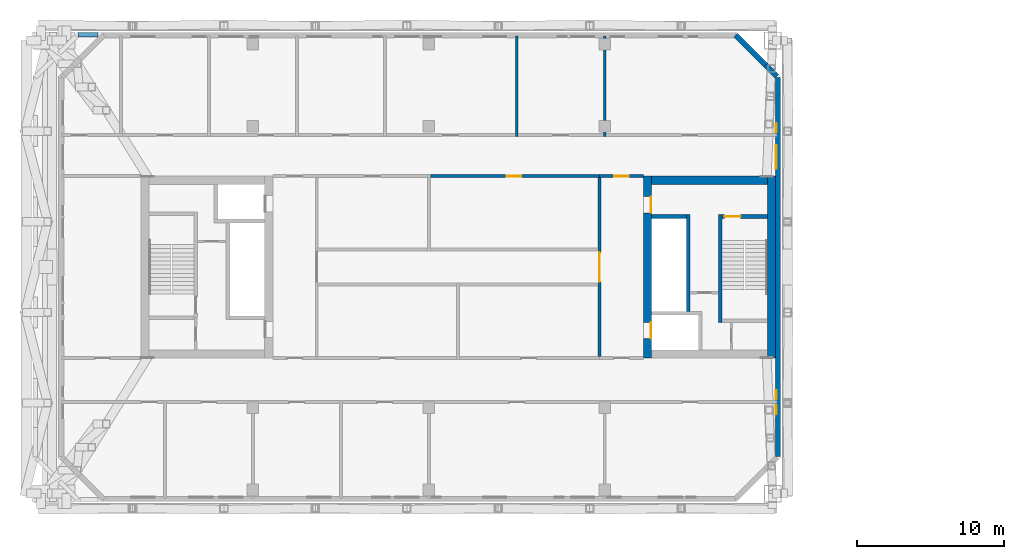
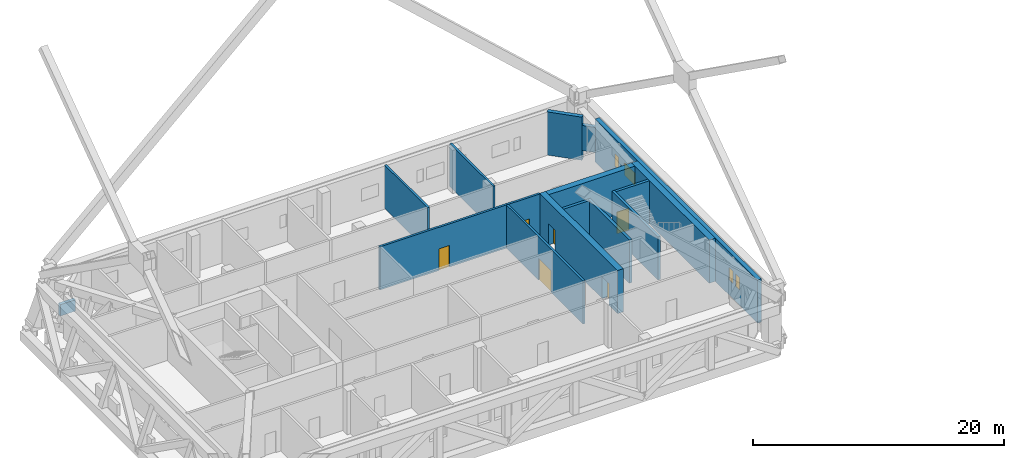
# One storey, part 10 of 22: 16 walls, 6 doors, 4 windows, 10 openings.
"""IFC4 building model written with IfcOpenShell, lengths in metres."""

from ifc_helpers import new_model, si_unit, direction, frame, frame_2d, origin, place, context, subcontext, project, spatial, rectangle, extrude, material, layer, layer_set, type_object, element, fill, save


model = new_model("IFC4")

# Units and contexts
model_context = context("Model", 3, precision=1e-05, world=origin(), true_north=direction((0.0, 1.0)))
body_context = subcontext(model_context, "Body", "Model", "MODEL_VIEW")
ifc_project = project(units=[si_unit("LENGTHUNIT", "METRE"), si_unit("AREAUNIT", "SQUARE_METRE"), si_unit("VOLUMEUNIT", "CUBIC_METRE"), si_unit("PLANEANGLEUNIT", "RADIAN"), si_unit("MASSUNIT", "GRAM", prefix="KILO")], contexts=[model_context])

# Site, building, storey
site_placement = place(None, origin())
site = spatial("IfcSite", under=ifc_project, at=site_placement, CompositionType="ELEMENT")
building_placement = place(site_placement, origin())
building = spatial("IfcBuilding", under=site, at=building_placement, Name="Tuart Gate Housing", CompositionType="ELEMENT")
storey_placement = place(building_placement, frame((0.0, 0.0, 115.0)))
storey = spatial("IfcBuildingStorey", under=building, at=storey_placement, Name="L32", CompositionType="ELEMENT", Elevation=115.0)

# Wall
ifc_material_1 = material(Name="Brick", Category="masonry")
ifc_layer_1 = layer(ifc_material_1, 0.300048828125)
ifc_layer_set_1 = layer_set([ifc_layer_1], Name="Brick parapet wall 300")
wall_type_1 = type_object("IfcWallType", Name="Brick parapet wall 300", PredefinedType="PARAPET", material=ifc_layer_set_1)
wall_1_placement = place(storey_placement, frame((29.449951171875, 85.85009765625, 0.0), z_axis=(0.0, 0.0, 1.0), x_axis=(-1.0, 0.0, 0.0)))
element("IfcWall", 1, at=wall_1_placement, inside=storey, type_object=wall_type_1, Name="Roof parapet A 1", PredefinedType="PARAPET", context=body_context, shape_type="SweptSolid", body=[
    extrude(rectangle(XDim=1.387939453125, YDim=0.300048828125, at=frame_2d((0.69384765625, 0.0))), origin(), (0.0, 0.0, 1.0), 1.10009765625),
])

# Wall, openings, windows
ifc_material_2 = material(Name="Brick", Category="masonry")
ifc_layer_2 = layer(ifc_material_2, 0.360107421875)
ifc_layer_set_2 = layer_set([ifc_layer_2], Name="Brick pier and spandrel wall 360")
wall_type_2 = type_object("IfcWallType", Name="Brick pier and spandrel wall 360", PredefinedType="STANDARD", material=ifc_layer_set_2)
wall_2_placement = place(storey_placement, frame((75.820068359375, 57.07470703125, 0.0), z_axis=(0.0, 0.0, 1.0), x_axis=(0.0, 1.0, 0.0)))
wall_2 = element("IfcWall", 2, at=wall_2_placement, inside=storey, type_object=wall_type_2, Name="External wall A-E L32", PredefinedType="STANDARD", context=body_context, shape_type="SweptSolid", body=[
    extrude(rectangle(XDim=25.850830078125, YDim=0.360107421875, at=frame_2d((12.92529296875, 0.0))), origin(), (0.0, 0.0, 1.0), 4.199951171875),
])
opening_1_placement = place(wall_2_placement, frame((2.89990234375, 0.0, 1.5)))
opening_1 = element("IfcOpeningElement", 3, at=opening_1_placement, cuts=wall_2, Name="Opening W3C", PredefinedType="OPENING", context=body_context, shape_type="SweptSolid", body=[
    extrude(rectangle(XDim=0.60009765625, YDim=1.199951171875, at=frame_2d((0.300048828125, 0.60009765625))), frame((0.0, 0.18994140625, 0.0), z_axis=(0.0, -1.0, 0.0), x_axis=(1.0, 0.0, 0.0)), (0.0, 0.0, 1.0), 0.380126953125),
])
opening_2_placement = place(wall_2_placement, frame((3.92529296875, 0.0, 1.5)))
opening_2 = element("IfcOpeningElement", 4, at=opening_2_placement, cuts=wall_2, Name="Opening W3C", PredefinedType="OPENING", context=body_context, shape_type="SweptSolid", body=[
    extrude(rectangle(XDim=0.60009765625, YDim=1.199951171875, at=frame_2d((0.300048828125, 0.60009765625))), frame((0.0, 0.18994140625, 0.0), z_axis=(0.0, -1.0, 0.0), x_axis=(1.0, 0.0, 0.0)), (0.0, 0.0, 1.0), 0.380126953125),
])
opening_3_placement = place(wall_2_placement, frame((19.62548828125, 0.0, 1.5)))
opening_3 = element("IfcOpeningElement", 5, at=opening_3_placement, cuts=wall_2, Name="Opening W3", PredefinedType="OPENING", context=body_context, shape_type="SweptSolid", body=[
    extrude(rectangle(XDim=1.60009765625, YDim=1.199951171875, at=frame_2d((0.800048828125, 0.60009765625))), frame((0.0, 0.18994140625, 0.0), z_axis=(0.0, -1.0, 0.0), x_axis=(1.0, 0.0, 0.0)), (0.0, 0.0, 1.0), 0.380126953125),
])
opening_4_placement = place(wall_2_placement, frame((22.12548828125, 0.0, 1.5)))
opening_4 = element("IfcOpeningElement", 6, at=opening_4_placement, cuts=wall_2, Name="Opening W3C", PredefinedType="OPENING", context=body_context, shape_type="SweptSolid", body=[
    extrude(rectangle(XDim=0.60009765625, YDim=1.199951171875, at=frame_2d((0.300048828125, 0.60009765625))), frame((0.0, 0.18994140625, 0.0), z_axis=(0.0, -1.0, 0.0), x_axis=(1.0, 0.0, 0.0)), (0.0, 0.0, 1.0), 0.380126953125),
])
ifc_material_3 = material(Name="Aluminium louvre blades", Category="aluminium")
window_type_1 = type_object("IfcWindowType", Name="Louvre window 1600 x 1200", PartitioningType="DOUBLE_PANEL_HORIZONTAL", PredefinedType="WINDOW", material=ifc_material_3)
window_1_placement = place(opening_3_placement, origin())
window_1 = element("IfcWindow", 7, at=window_1_placement, inside=storey, type_object=window_type_1, Name="Louvre W3", OverallHeight=1.199951171875, OverallWidth=1.60009765625, PartitioningType="DOUBLE_PANEL_HORIZONTAL", PredefinedType="WINDOW", context=body_context, shape_type="SweptSolid", body=[
    extrude(rectangle(XDim=1.60009765625, YDim=1.199951171875, at=frame_2d((0.800048828125, 0.60009765625))), frame((0.0, 0.150146484375, 0.0), z_axis=(0.0, -1.0, 0.0), x_axis=(1.0, 0.0, 0.0)), (0.0, 0.0, 1.0), 0.06005859375),
])
fill(opening_3, window_1)
ifc_material_4 = material(Name="Aluminium louvre blades", Category="aluminium")
window_type_2 = type_object("IfcWindowType", Name="Louvre window 600 x 1200", PartitioningType="DOUBLE_PANEL_HORIZONTAL", PredefinedType="WINDOW", material=ifc_material_4)
window_2_placement = place(opening_1_placement, origin())
window_2 = element("IfcWindow", 8, at=window_2_placement, inside=storey, type_object=window_type_2, Name="Louvre W3C", OverallHeight=1.199951171875, OverallWidth=0.60009765625, PartitioningType="DOUBLE_PANEL_HORIZONTAL", PredefinedType="WINDOW", context=body_context, shape_type="SweptSolid", body=[
    extrude(rectangle(XDim=0.60009765625, YDim=1.199951171875, at=frame_2d((0.300048828125, 0.60009765625))), frame((0.0, 0.150146484375, 0.0), z_axis=(0.0, -1.0, 0.0), x_axis=(1.0, 0.0, 0.0)), (0.0, 0.0, 1.0), 0.06005859375),
])
fill(opening_1, window_2)
window_3_placement = place(opening_2_placement, origin())
window_3 = element("IfcWindow", 9, at=window_3_placement, inside=storey, type_object=window_type_2, Name="Louvre W3C", OverallHeight=1.199951171875, OverallWidth=0.60009765625, PartitioningType="DOUBLE_PANEL_HORIZONTAL", PredefinedType="WINDOW", context=body_context, shape_type="SweptSolid", body=[
    extrude(rectangle(XDim=0.60009765625, YDim=1.199951171875, at=frame_2d((0.300048828125, 0.60009765625))), frame((0.0, 0.150146484375, 0.0), z_axis=(0.0, -1.0, 0.0), x_axis=(1.0, 0.0, 0.0)), (0.0, 0.0, 1.0), 0.06005859375),
])
fill(opening_2, window_3)
window_4_placement = place(opening_4_placement, origin())
window_4 = element("IfcWindow", 10, at=window_4_placement, inside=storey, type_object=window_type_2, Name="Louvre W3C", OverallHeight=1.199951171875, OverallWidth=0.60009765625, PartitioningType="DOUBLE_PANEL_HORIZONTAL", PredefinedType="WINDOW", context=body_context, shape_type="SweptSolid", body=[
    extrude(rectangle(XDim=0.60009765625, YDim=1.199951171875, at=frame_2d((0.300048828125, 0.60009765625))), frame((0.0, 0.150146484375, 0.0), z_axis=(0.0, -1.0, 0.0), x_axis=(1.0, 0.0, 0.0)), (0.0, 0.0, 1.0), 0.06005859375),
])
fill(opening_4, window_4)

# Walls
wall_3_placement = place(storey_placement, frame((75.74609375, 82.999267578125, 0.952880859375), z_axis=(0.0, 0.0, 1.0), x_axis=(-0.706994764273, 0.707218780358, 0.0)))
element("IfcWall", 11, at=wall_3_placement, inside=storey, type_object=wall_type_2, Name="External wall A-NE L32", PredefinedType="STANDARD", context=body_context, shape_type="SweptSolid", body=[
    extrude(rectangle(XDim=1.08984375, YDim=0.360107421875, at=frame_2d((0.544921875, 0.0))), origin(), (0.0, 0.0, 1.0), 2.444091796875),
])
wall_4_placement = place(storey_placement, frame((74.9755859375, 83.77001953125, 0.0), z_axis=(0.0, 0.0, 1.0), x_axis=(-0.707148882153, 0.707064677713, 0.0)))
element("IfcWall", 12, at=wall_4_placement, inside=storey, type_object=wall_type_2, Name="External wall A-NE L32", PredefinedType="STANDARD", context=body_context, shape_type="SweptSolid", body=[
    extrude(rectangle(XDim=2.8994140625, YDim=0.360107421875, at=frame_2d((1.44970703125, 0.0))), origin(), (0.0, 0.0, 1.0), 4.199951171875),
])
ifc_material_5 = material(Name="Concrete C50", Category="concrete")
ifc_layer_3 = layer(ifc_material_5, 0.25)
ifc_layer_set_3 = layer_set([ifc_layer_3], Name="Core wall 250 C50")
wall_type_3 = type_object("IfcWallType", Name="Core wall 250 C50", PredefinedType="SHEAR", material=ifc_layer_set_3)
wall_5_placement = place(storey_placement, frame((67.18994140625, 73.449951171875, 0.0), z_axis=(0.0, 0.0, 1.0), x_axis=(1.0, 0.0, 0.0)))
element("IfcWall", 13, at=wall_5_placement, inside=storey, type_object=wall_type_3, Name="Core wall AG.4", PredefinedType="SHEAR", context=body_context, shape_type="SweptSolid", body=[
    extrude(rectangle(XDim=2.375, YDim=0.25, at=frame_2d((1.1875, 0.0))), origin(), (0.0, 0.0, 1.0), 4.199951171875),
])

# Wall, opening, door
wall_6_placement = place(storey_placement, frame((72.014892578125, 73.449951171875, 0.0), z_axis=(0.0, 0.0, 1.0), x_axis=(1.0, 0.0, 0.0)))
wall_6 = element("IfcWall", 14, at=wall_6_placement, inside=storey, type_object=wall_type_3, Name="Core wall AG.5", PredefinedType="SHEAR", context=body_context, shape_type="SweptSolid", body=[
    extrude(rectangle(XDim=3.0751953125, YDim=0.25, at=frame_2d((1.53759765625, 0.0))), origin(), (0.0, 0.0, 1.0), 4.199951171875),
])
opening_5_placement = place(wall_6_placement, frame((0.14990234375, 0.0, 0.0)))
opening_5 = element("IfcOpeningElement", 15, at=opening_5_placement, cuts=wall_6, Name="Opening D3387", PredefinedType="OPENING", context=body_context, shape_type="SweptSolid", body=[
    extrude(rectangle(XDim=1.10009765625, YDim=2.10009765625, at=frame_2d((0.550048828125, 1.050048828125))), frame((0.0, 0.135009765625, 0.0), z_axis=(0.0, -1.0, 0.0), x_axis=(1.0, 0.0, 0.0)), (0.0, 0.0, 1.0), 0.27001953125),
])
ifc_material_6 = material(Name="Steel fire door", Category="steel")
door_type_1 = type_object("IfcDoorType", Name="Stair door 1100 x 2100 RH", OperationType="SINGLE_SWING_RIGHT", PredefinedType="DOOR", material=ifc_material_6)
door_1_placement = place(opening_5_placement, frame((1.10009765625, 0.0, 0.0), z_axis=(0.0, 0.0, 1.0), x_axis=(-1.0, 0.0, 0.0)))
door_1 = element("IfcDoor", 16, at=door_1_placement, inside=storey, type_object=door_type_1, Name="Stair door AG.SD", OperationType="SINGLE_SWING_RIGHT", OverallHeight=2.10009765625, OverallWidth=1.10009765625, PredefinedType="DOOR", context=body_context, shape_type="SweptSolid", body=[
    extrude(rectangle(XDim=1.10009765625, YDim=2.10009765625, at=frame_2d((0.550048828125, 1.050048828125))), frame((0.0, 0.025146484375, 0.0), z_axis=(0.0, -1.0, 0.0), x_axis=(1.0, 0.0, 0.0)), (0.0, 0.0, 1.0), 0.050048828125),
])
fill(opening_5, door_1)

# Walls
wall_7_placement = place(storey_placement, frame((69.68994140625, 66.97509765625, 0.0), z_axis=(0.0, 0.0, 1.0), x_axis=(0.0, 1.0, 0.0)))
element("IfcWall", 17, at=wall_7_placement, inside=storey, type_object=wall_type_3, Name="Core wall AG.6", PredefinedType="SHEAR", context=body_context, shape_type="SweptSolid", body=[
    extrude(rectangle(XDim=6.599853515625, YDim=0.25, at=frame_2d((3.2998046875, 0.0))), origin(), (0.0, 0.0, 1.0), 4.199951171875),
])
wall_8_placement = place(storey_placement, frame((71.889892578125, 66.22509765625, 0.0), z_axis=(0.0, 0.0, 1.0), x_axis=(0.0, 1.0, 0.0)))
element("IfcWall", 18, at=wall_8_placement, inside=storey, type_object=wall_type_3, Name="Core wall AG.8", PredefinedType="SHEAR", context=body_context, shape_type="SweptSolid", body=[
    extrude(rectangle(XDim=7.349853515625, YDim=0.25, at=frame_2d((3.6748046875, 0.0))), origin(), (0.0, 0.0, 1.0), 4.199951171875),
])

# Wall, openings, doors
ifc_material_7 = material(Name="Concrete C50", Category="concrete")
ifc_layer_4 = layer(ifc_material_7, 0.550048828125)
ifc_layer_set_4 = layer_set([ifc_layer_4], Name="Core wall 550 C50")
wall_type_4 = type_object("IfcWallType", Name="Core wall 550 C50", PredefinedType="SHEAR", material=ifc_layer_set_4)
wall_9_placement = place(storey_placement, frame((66.9150390625, 63.800048828125, 0.0), z_axis=(0.0, 0.0, 1.0), x_axis=(0.0, 1.0, 0.0)))
wall_9 = element("IfcWall", 19, at=wall_9_placement, inside=storey, type_object=wall_type_4, Name="Core wall AG front", PredefinedType="SHEAR", context=body_context, shape_type="SweptSolid", body=[
    extrude(rectangle(XDim=12.39990234375, YDim=0.550048828125, at=frame_2d((6.199951171875, 0.0))), origin(), (0.0, 0.0, 1.0), 4.199951171875),
])
opening_6_placement = place(wall_9_placement, frame((1.324951171875, 0.0, 0.0)))
opening_6 = element("IfcOpeningElement", 20, at=opening_6_placement, cuts=wall_9, Name="Opening LD-FA1", PredefinedType="OPENING", context=body_context, shape_type="SweptSolid", body=[
    extrude(rectangle(XDim=1.10009765625, YDim=2.10009765625, at=frame_2d((0.550048828125, 1.050048828125))), frame((0.0, 0.284912109375, 0.0), z_axis=(0.0, -1.0, 0.0), x_axis=(1.0, 0.0, 0.0)), (0.0, 0.0, 1.0), 0.570068359375),
])
opening_7_placement = place(wall_9_placement, frame((9.89990234375, 0.0, 0.0)))
opening_7 = element("IfcOpeningElement", 21, at=opening_7_placement, cuts=wall_9, Name="Opening D3393", PredefinedType="OPENING", context=body_context, shape_type="SweptSolid", body=[
    extrude(rectangle(XDim=1.10009765625, YDim=2.10009765625, at=frame_2d((0.550048828125, 1.050048828125))), frame((0.0, 0.284912109375, 0.0), z_axis=(0.0, -1.0, 0.0), x_axis=(1.0, 0.0, 0.0)), (0.0, 0.0, 1.0), 0.570068359375),
])
ifc_material_8 = material(Name="Stainless steel", Category="steel")
door_type_2 = type_object("IfcDoorType", Name="Landing door 1100 x 2100", OperationType="DOUBLE_DOOR_SLIDING", PredefinedType="DOOR", material=ifc_material_8)
door_2_placement = place(opening_6_placement, origin())
door_2 = element("IfcDoor", 22, at=door_2_placement, inside=storey, type_object=door_type_2, Name="Lift landing door FA1", OperationType="DOUBLE_DOOR_SLIDING", OverallHeight=2.10009765625, OverallWidth=1.10009765625, PredefinedType="DOOR", context=body_context, shape_type="SweptSolid", body=[
    extrude(rectangle(XDim=1.10009765625, YDim=2.10009765625, at=frame_2d((0.550048828125, 1.050048828125))), frame((0.0, -0.2099609375, 0.0), z_axis=(0.0, -1.0, 0.0), x_axis=(1.0, 0.0, 0.0)), (0.0, 0.0, 1.0), 0.050048828125),
])
fill(opening_6, door_2)
ifc_material_9 = material(Name="Steel fire door", Category="steel")
door_type_3 = type_object("IfcDoorType", Name="Lobby door 1100 x 2100 RH", OperationType="SINGLE_SWING_RIGHT", PredefinedType="DOOR", material=ifc_material_9)
door_3_placement = place(opening_7_placement, frame((1.10009765625, 0.0, 0.0), z_axis=(0.0, 0.0, 1.0), x_axis=(-1.0, 0.0, 0.0)))
door_3 = element("IfcDoor", 23, at=door_3_placement, inside=storey, type_object=door_type_3, Name="Lobby entry door AG.EN", OperationType="SINGLE_SWING_RIGHT", OverallHeight=2.10009765625, OverallWidth=1.10009765625, PredefinedType="DOOR", context=body_context, shape_type="SweptSolid", body=[
    extrude(rectangle(XDim=1.10009765625, YDim=2.10009765625, at=frame_2d((0.550048828125, 1.050048828125))), frame((0.0, 0.260009765625, 0.0), z_axis=(0.0, -1.0, 0.0), x_axis=(1.0, 0.0, 0.0)), (0.0, 0.0, 1.0), 0.050048828125),
])
fill(opening_7, door_3)

# Walls
wall_10_placement = place(storey_placement, frame((75.364990234375, 63.800048828125, 0.0), z_axis=(0.0, 0.0, 1.0), x_axis=(0.0, 1.0, 0.0)))
element("IfcWall", 24, at=wall_10_placement, inside=storey, type_object=wall_type_4, Name="Core wall AG back", PredefinedType="SHEAR", context=body_context, shape_type="SweptSolid", body=[
    extrude(rectangle(XDim=12.39990234375, YDim=0.550048828125, at=frame_2d((6.199951171875, 0.0))), origin(), (0.0, 0.0, 1.0), 4.199951171875),
])
wall_11_placement = place(storey_placement, frame((67.18994140625, 75.925048828125, 0.0), z_axis=(0.0, 0.0, 1.0), x_axis=(1.0, 0.0, 0.0)))
element("IfcWall", 25, at=wall_11_placement, inside=storey, type_object=wall_type_4, Name="Core wall AG north", PredefinedType="SHEAR", context=body_context, shape_type="SweptSolid", body=[
    extrude(rectangle(XDim=7.900146484375, YDim=0.550048828125, at=frame_2d((3.9501953125, 0.0))), origin(), (0.0, 0.0, 1.0), 4.199951171875),
])

# Wall, opening, door
ifc_material_10 = material(Name="Concrete masonry 15 MPa", Category="masonry")
ifc_layer_5 = layer(ifc_material_10, 0.199951171875)
ifc_layer_set_5 = layer_set([ifc_layer_5], Name="Enclosure wall masonry 200")
wall_type_5 = type_object("IfcWallType", Name="Enclosure wall masonry 200", PredefinedType="PARTITIONING", material=ifc_layer_set_5)
wall_12_placement = place(storey_placement, frame((51.89990234375, 76.199951171875, 0.0), z_axis=(0.0, 0.0, 1.0), x_axis=(1.0, 0.0, 0.0)))
wall_12 = element("IfcWall", 26, at=wall_12_placement, inside=storey, type_object=wall_type_5, Name="Enclosure wall masonry 200", PredefinedType="PARTITIONING", context=body_context, shape_type="SweptSolid", body=[
    extrude(rectangle(XDim=11.739990234375, YDim=0.199951171875, at=frame_2d((5.8701171875, 0.0))), origin(), (0.0, 0.0, 1.0), 4.199951171875),
])
opening_8_placement = place(wall_12_placement, frame((5.419921875, 0.0, 0.0)))
opening_8 = element("IfcOpeningElement", 27, at=opening_8_placement, cuts=wall_12, Name="Opening D3385", PredefinedType="OPENING", context=body_context, shape_type="SweptSolid", body=[
    extrude(rectangle(XDim=1.0, YDim=2.10009765625, at=frame_2d((0.5, 1.050048828125))), frame((0.0, 0.10986328125, 0.0), z_axis=(0.0, -1.0, 0.0), x_axis=(1.0, 0.0, 0.0)), (0.0, 0.0, 1.0), 0.219970703125),
])
ifc_material_11 = material(Name="Timber door leaf in steel frame", Category="steel")
door_type_4 = type_object("IfcDoorType", Name="Fire door 1000 RH", OperationType="SINGLE_SWING_RIGHT", PredefinedType="DOOR", material=ifc_material_11)
door_4_placement = place(opening_8_placement, frame((1.0, 0.0, 0.0), z_axis=(0.0, 0.0, 1.0), x_axis=(-1.0, 0.0, 0.0)))
door_4 = element("IfcDoor", 28, at=door_4_placement, inside=storey, type_object=door_type_4, Name="Fire door 1000", OperationType="SINGLE_SWING_RIGHT", OverallHeight=2.10009765625, OverallWidth=1.0, PredefinedType="DOOR", context=body_context, shape_type="SweptSolid", body=[
    extrude(rectangle(XDim=1.0, YDim=2.10009765625, at=frame_2d((0.5, 1.050048828125))), frame((0.0, 0.025146484375, 0.0), z_axis=(0.0, -1.0, 0.0), x_axis=(1.0, 0.0, 0.0)), (0.0, 0.0, 1.0), 0.050048828125),
])
fill(opening_8, door_4)

wall_13_placement = place(storey_placement, frame((63.639892578125, 76.199951171875, 0.0), z_axis=(0.0, 0.0, 1.0), x_axis=(1.0, 0.0, 0.0)))
wall_13 = element("IfcWall", 29, at=wall_13_placement, inside=storey, type_object=wall_type_5, Name="Enclosure wall masonry 200", PredefinedType="PARTITIONING", context=body_context, shape_type="SweptSolid", body=[
    extrude(rectangle(XDim=3.0, YDim=0.199951171875, at=frame_2d((1.5, 0.0))), origin(), (0.0, 0.0, 1.0), 4.199951171875),
])
opening_9_placement = place(wall_13_placement, frame((1.0, 0.0, 0.0)))
opening_9 = element("IfcOpeningElement", 30, at=opening_9_placement, cuts=wall_13, Name="Opening D3386", PredefinedType="OPENING", context=body_context, shape_type="SweptSolid", body=[
    extrude(rectangle(XDim=1.0, YDim=2.10009765625, at=frame_2d((0.5, 1.050048828125))), frame((0.0, 0.10986328125, 0.0), z_axis=(0.0, -1.0, 0.0), x_axis=(1.0, 0.0, 0.0)), (0.0, 0.0, 1.0), 0.219970703125),
])
ifc_material_12 = material(Name="Timber door leaf in steel frame", Category="steel")
door_type_5 = type_object("IfcDoorType", Name="Lobby door 1000 RH", OperationType="SINGLE_SWING_RIGHT", PredefinedType="DOOR", material=ifc_material_12)
door_5_placement = place(opening_9_placement, frame((1.0, 0.0, 0.0), z_axis=(0.0, 0.0, 1.0), x_axis=(-1.0, 0.0, 0.0)))
door_5 = element("IfcDoor", 31, at=door_5_placement, inside=storey, type_object=door_type_5, Name="Lobby door 1000", OperationType="SINGLE_SWING_RIGHT", OverallHeight=2.10009765625, OverallWidth=1.0, PredefinedType="DOOR", context=body_context, shape_type="SweptSolid", body=[
    extrude(rectangle(XDim=1.0, YDim=2.10009765625, at=frame_2d((0.5, 1.050048828125))), frame((0.0, 0.025146484375, 0.0), z_axis=(0.0, -1.0, 0.0), x_axis=(1.0, 0.0, 0.0)), (0.0, 0.0, 1.0), 0.050048828125),
])
fill(opening_9, door_5)

# Walls
for number, where, z_axis, x_axis, name in (
    (32, (58.0, 78.89990234375, 0.0), (0.0, 0.0, 1.0), (0.0, 1.0, 0.0), "Enclosure wall masonry 200"),
    (33, (64.0, 78.89990234375, 0.0), (0.0, 0.0, 1.0), (0.0, 1.0, 0.0), "Enclosure wall masonry 200"),
):
    element("IfcWall", number, at=place(storey_placement, frame(where, z_axis=z_axis, x_axis=x_axis)), inside=storey, type_object=wall_type_5, Name=name, PredefinedType="PARTITIONING", context=body_context, shape_type="SweptSolid", body=[
        extrude(rectangle(XDim=6.860107421875, YDim=0.199951171875, at=frame_2d((3.43017578125, 0.0))), origin(), (0.0, 0.0, 1.0), 4.199951171875),
    ])

# Wall, opening, door
ifc_material_13 = material(Name="Plasterboard partition")
ifc_layer_6 = layer(ifc_material_13, 0.199951171875)
ifc_layer_set_6 = layer_set([ifc_layer_6], Name="Lobby wall 200")
wall_type_6 = type_object("IfcWallType", Name="Lobby wall 200", PredefinedType="PARTITIONING", material=ifc_layer_set_6)
wall_14_placement = place(storey_placement, frame((63.639892578125, 63.89990234375, 0.0), z_axis=(0.0, 0.0, 1.0), x_axis=(0.0, 1.0, 0.0)))
wall_14 = element("IfcWall", 34, at=wall_14_placement, inside=storey, type_object=wall_type_6, Name="Lift lobby wall AG", PredefinedType="PARTITIONING", context=body_context, shape_type="SweptSolid", body=[
    extrude(rectangle(XDim=12.2001953125, YDim=0.199951171875, at=frame_2d((6.10009765625, 0.0))), origin(), (0.0, 0.0, 1.0), 4.199951171875),
])
opening_10_placement = place(wall_14_placement, frame((5.10009765625, 0.0, 0.0)))
opening_10 = element("IfcOpeningElement", 35, at=opening_10_placement, cuts=wall_14, Name="Opening D3392", PredefinedType="OPENING", context=body_context, shape_type="SweptSolid", body=[
    extrude(rectangle(XDim=2.0, YDim=2.10009765625, at=frame_2d((1.0, 1.050048828125))), frame((0.0, 0.10986328125, 0.0), z_axis=(0.0, -1.0, 0.0), x_axis=(1.0, 0.0, 0.0)), (0.0, 0.0, 1.0), 0.219970703125),
])
ifc_material_14 = material(Name="Steel fire door", Category="steel")
door_type_6 = type_object("IfcDoorType", Name="Smoke door 2000 x 2100", OperationType="DOUBLE_DOOR_SINGLE_SWING", PredefinedType="DOOR", material=ifc_material_14)
door_6_placement = place(opening_10_placement, frame((2.0, 0.0, 0.0), z_axis=(0.0, 0.0, 1.0), x_axis=(-1.0, 0.0, 0.0)))
door_6 = element("IfcDoor", 36, at=door_6_placement, inside=storey, type_object=door_type_6, Name="Lift lobby smoke door AG", OperationType="DOUBLE_DOOR_SINGLE_SWING", OverallHeight=2.10009765625, OverallWidth=2.0, PredefinedType="DOOR", context=body_context, shape_type="SweptSolid", body=[
    extrude(rectangle(XDim=2.0, YDim=2.10009765625, at=frame_2d((1.0, 1.050048828125))), frame((0.0, 0.025146484375, 0.0), z_axis=(0.0, -1.0, 0.0), x_axis=(1.0, 0.0, 0.0)), (0.0, 0.0, 1.0), 0.050048828125),
])
fill(opening_10, door_6)

save(model, "model.ifc")
